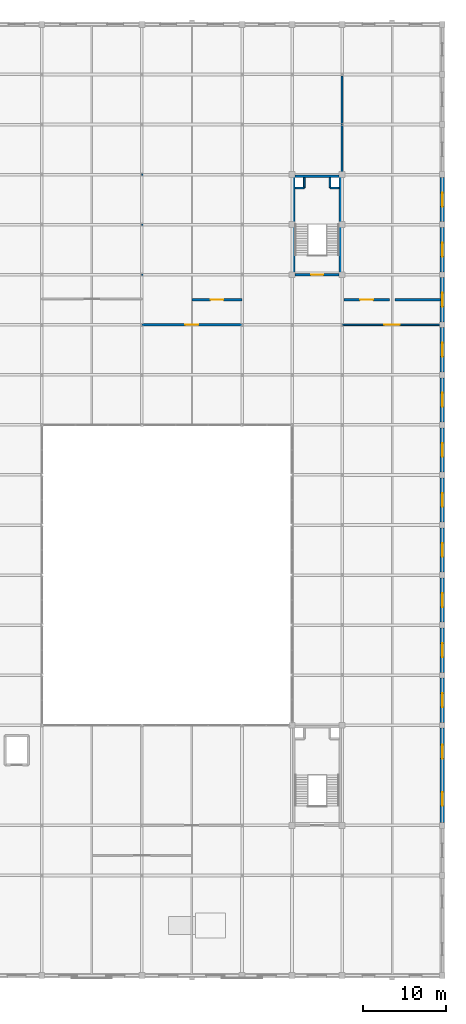
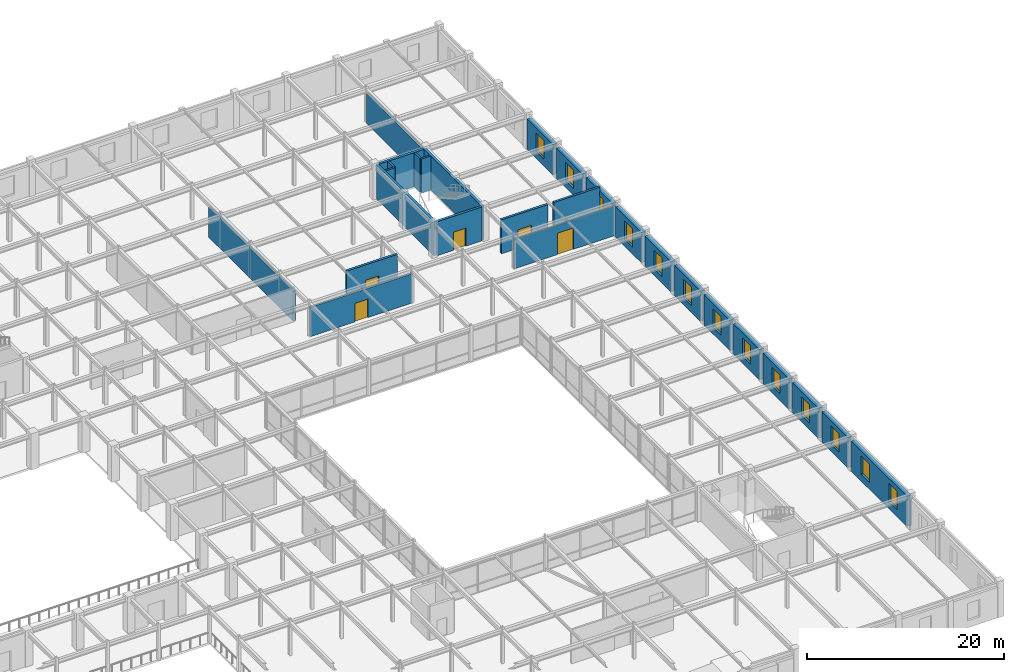
# One storey, part 104 of 108: 27 walls, 13 windows, 5 doors, 18 openings.
"""IFC4 building model written with IfcOpenShell, lengths in metres."""

from ifc_helpers import new_model, si_unit, direction, frame, frame_2d, origin, place, context, subcontext, project, spatial, rectangle, extrude, material, layer, layer_set, type_object, element, fill, save


model = new_model("IFC4")

# Units and contexts
model_context = context("Model", 3, precision=1e-05, world=origin(), true_north=direction((0.0, 1.0)))
body_context = subcontext(model_context, "Body", "Model", "MODEL_VIEW")
ifc_project = project(units=[si_unit("LENGTHUNIT", "METRE"), si_unit("AREAUNIT", "SQUARE_METRE"), si_unit("VOLUMEUNIT", "CUBIC_METRE"), si_unit("PLANEANGLEUNIT", "RADIAN"), si_unit("MASSUNIT", "GRAM", prefix="KILO")], contexts=[model_context])

# Site, building, storey
site_placement = place(None, origin())
site = spatial("IfcSite", under=ifc_project, at=site_placement, CompositionType="ELEMENT")
building_placement = place(site_placement, origin())
building = spatial("IfcBuilding", under=site, at=building_placement, Name="Zlatovratsky Civic Hall", CompositionType="ELEMENT")
storey_placement = place(building_placement, frame((0.0, 0.0, 12.0)))
storey = spatial("IfcBuildingStorey", under=building, at=storey_placement, Name="L03", CompositionType="ELEMENT", Elevation=12.0)

# Wall, opening, door
ifc_material_1 = material(Name="Acoustic ceramic blockwork", Category="masonry")
ifc_layer_1 = layer(ifc_material_1, 0.179931640625)
ifc_layer_set_1 = layer_set([ifc_layer_1], Name="Acoustic ceramic blockwork")
wall_type_1 = type_object("IfcWallType", Name="Wall_AcousticChamberPartition_180", PredefinedType="PARTITIONING", material=ifc_layer_set_1)
wall_1_placement = place(storey_placement, frame((156.0, 78.0, 0.0), z_axis=(0.0, 0.0, 1.0), x_axis=(1.0, 0.0, 0.0)))
wall_1 = element("IfcWall", 1, at=wall_1_placement, inside=storey, type_object=wall_type_1, Name="WL-6172", PredefinedType="PARTITIONING", context=body_context, shape_type="SweptSolid", body=[
    extrude(rectangle(XDim=12.0, YDim=0.179931640625, at=frame_2d((6.0, 0.0))), origin(), (0.0, 0.0, 1.0), 3.637939453125),
])
opening_1_placement = place(wall_1_placement, frame((5.074951171875, 0.0, 0.0)))
opening_1 = element("IfcOpeningElement", 2, at=opening_1_placement, cuts=wall_1, Name="Opening D-14", PredefinedType="OPENING", context=body_context, shape_type="SweptSolid", body=[
    extrude(rectangle(XDim=1.85009765625, YDim=2.64990234375, at=frame_2d((0.925048828125, 1.324951171875))), frame((0.0, 0.10498046875, 0.0), z_axis=(0.0, -1.0, 0.0), x_axis=(1.0, 0.0, 0.0)), (0.0, 0.0, 1.0), 0.209716796875),
])
ifc_material_2 = material(Name="Solid oak joinery in steel frame", Category="steel")
door_type_1 = type_object("IfcDoorType", Name="Door_LibraryReadingDouble_1850x2650", OperationType="DOUBLE_DOOR_SINGLE_SWING", PredefinedType="DOOR", material=ifc_material_2)
door_1_placement = place(opening_1_placement, origin())
door_1 = element("IfcDoor", 3, at=door_1_placement, inside=storey, type_object=door_type_1, Name="DR-5293", OperationType="DOUBLE_DOOR_SINGLE_SWING", OverallHeight=2.64990234375, OverallWidth=1.85009765625, PredefinedType="DOOR", context=body_context, shape_type="SweptSolid", body=[
    extrude(rectangle(XDim=1.85009765625, YDim=2.64990234375, at=frame_2d((0.925048828125, 1.324951171875))), frame((0.0, 0.02490234375, 0.0), z_axis=(0.0, -1.0, 0.0), x_axis=(1.0, 0.0, 0.0)), (0.0, 0.0, 1.0), 0.050048828125),
])
fill(opening_1, door_1)

ifc_layer_2 = layer(ifc_material_1, 0.260009765625)
ifc_layer_set_2 = layer_set([ifc_layer_2], Name="Acoustic ceramic blockwork")
wall_type_2 = type_object("IfcWallType", Name="Wall_ArchiveCompartment_260", PredefinedType="PARTITIONING", material=ifc_layer_set_2)
wall_2_placement = place(storey_placement, frame((132.0, 78.0, 0.0), z_axis=(0.0, 0.0, 1.0), x_axis=(1.0, 0.0, 0.0)))
wall_2 = element("IfcWall", 4, at=wall_2_placement, inside=storey, type_object=wall_type_2, Name="WL-6182", PredefinedType="PARTITIONING", context=body_context, shape_type="SweptSolid", body=[
    extrude(rectangle(XDim=12.0, YDim=0.260009765625, at=frame_2d((6.0, 0.0))), origin(), (0.0, 0.0, 1.0), 3.637939453125),
])
opening_2_placement = place(wall_2_placement, frame((5.22509765625, 0.0, 0.0)))
opening_2 = element("IfcOpeningElement", 5, at=opening_2_placement, cuts=wall_2, Name="Opening D-15", PredefinedType="OPENING", context=body_context, shape_type="SweptSolid", body=[
    extrude(rectangle(XDim=1.550048828125, YDim=2.300048828125, at=frame_2d((0.77490234375, 1.14990234375))), frame((0.0, 0.14501953125, 0.0), z_axis=(0.0, -1.0, 0.0), x_axis=(1.0, 0.0, 0.0)), (0.0, 0.0, 1.0), 0.289794921875),
])
ifc_material_3 = material(Name="Insulated painted fire-rated steel leaf", Category="steel")
door_type_2 = type_object("IfcDoorType", Name="Door_CompactArchiveFire_1550x2300", OperationType="DOUBLE_DOOR_SINGLE_SWING", PredefinedType="DOOR", material=ifc_material_3)
door_2_placement = place(opening_2_placement, origin())
door_2 = element("IfcDoor", 6, at=door_2_placement, inside=storey, type_object=door_type_2, Name="DR-5303", OperationType="DOUBLE_DOOR_SINGLE_SWING", OverallHeight=2.300048828125, OverallWidth=1.550048828125, PredefinedType="DOOR", context=body_context, shape_type="SweptSolid", body=[
    extrude(rectangle(XDim=1.550048828125, YDim=2.300048828125, at=frame_2d((0.77490234375, 1.14990234375))), frame((0.0, 0.02490234375, 0.0), z_axis=(0.0, -1.0, 0.0), x_axis=(1.0, 0.0, 0.0)), (0.0, 0.0, 1.0), 0.050048828125),
])
fill(opening_2, door_2)

wall_3_placement = place(storey_placement, frame((138.0, 81.0, 0.0), z_axis=(0.0, 0.0, 1.0), x_axis=(1.0, 0.0, 0.0)))
wall_3 = element("IfcWall", 7, at=wall_3_placement, inside=storey, type_object=wall_type_2, Name="WL-6186", PredefinedType="PARTITIONING", context=body_context, shape_type="SweptSolid", body=[
    extrude(rectangle(XDim=6.0, YDim=0.260009765625, at=frame_2d((3.0, 0.0))), origin(), (0.0, 0.0, 1.0), 4.219970703125),
])
opening_3_placement = place(wall_3_placement, frame((2.22509765625, 0.0, 0.0)))
opening_3 = element("IfcOpeningElement", 8, at=opening_3_placement, cuts=wall_3, Name="Opening D-15", PredefinedType="OPENING", context=body_context, shape_type="SweptSolid", body=[
    extrude(rectangle(XDim=1.550048828125, YDim=2.300048828125, at=frame_2d((0.77490234375, 1.14990234375))), frame((0.0, 0.14501953125, 0.0), z_axis=(0.0, -1.0, 0.0), x_axis=(1.0, 0.0, 0.0)), (0.0, 0.0, 1.0), 0.289794921875),
])
door_3_placement = place(opening_3_placement, origin())
door_3 = element("IfcDoor", 9, at=door_3_placement, inside=storey, type_object=door_type_2, Name="DR-5307", OperationType="DOUBLE_DOOR_SINGLE_SWING", OverallHeight=2.300048828125, OverallWidth=1.550048828125, PredefinedType="DOOR", context=body_context, shape_type="SweptSolid", body=[
    extrude(rectangle(XDim=1.550048828125, YDim=2.300048828125, at=frame_2d((0.77490234375, 1.14990234375))), frame((0.0, 0.02490234375, 0.0), z_axis=(0.0, -1.0, 0.0), x_axis=(1.0, 0.0, 0.0)), (0.0, 0.0, 1.0), 0.050048828125),
])
fill(opening_3, door_3)

wall_4_placement = place(storey_placement, frame((156.199951171875, 81.0, 0.0), z_axis=(0.0, 0.0, 1.0), x_axis=(1.0, 0.0, 0.0)))
wall_4 = element("IfcWall", 10, at=wall_4_placement, inside=storey, type_object=wall_type_2, Name="WL-6192", PredefinedType="PARTITIONING", context=body_context, shape_type="SweptSolid", body=[
    extrude(rectangle(XDim=5.449951171875, YDim=0.260009765625, at=frame_2d((2.72509765625, 0.0))), origin(), (0.0, 0.0, 1.0), 4.219970703125),
])
opening_4_placement = place(wall_4_placement, frame((1.949951171875, 0.0, 0.0)))
opening_4 = element("IfcOpeningElement", 11, at=opening_4_placement, cuts=wall_4, Name="Opening D-15", PredefinedType="OPENING", context=body_context, shape_type="SweptSolid", body=[
    extrude(rectangle(XDim=1.550048828125, YDim=2.300048828125, at=frame_2d((0.77490234375, 1.14990234375))), frame((0.0, 0.14501953125, 0.0), z_axis=(0.0, -1.0, 0.0), x_axis=(1.0, 0.0, 0.0)), (0.0, 0.0, 1.0), 0.289794921875),
])
door_4_placement = place(opening_4_placement, origin())
door_4 = element("IfcDoor", 12, at=door_4_placement, inside=storey, type_object=door_type_2, Name="DR-5313", OperationType="DOUBLE_DOOR_SINGLE_SWING", OverallHeight=2.300048828125, OverallWidth=1.550048828125, PredefinedType="DOOR", context=body_context, shape_type="SweptSolid", body=[
    extrude(rectangle(XDim=1.550048828125, YDim=2.300048828125, at=frame_2d((0.77490234375, 1.14990234375))), frame((0.0, 0.02490234375, 0.0), z_axis=(0.0, -1.0, 0.0), x_axis=(1.0, 0.0, 0.0)), (0.0, 0.0, 1.0), 0.050048828125),
])
fill(opening_4, door_4)

# Walls
wall_5_placement = place(storey_placement, frame((132.0, 81.14990234375, 0.0), z_axis=(0.0, 0.0, 1.0), x_axis=(0.0, 1.0, 0.0)))
element("IfcWall", 13, at=wall_5_placement, inside=storey, type_object=wall_type_2, Name="WL-6196", PredefinedType="PARTITIONING", context=body_context, shape_type="SweptSolid", body=[
    extrude(rectangle(XDim=17.2001953125, YDim=0.260009765625, at=frame_2d((8.60009765625, 0.0))), origin(), (0.0, 0.0, 1.0), 3.738037109375),
])
wall_6_placement = place(storey_placement, frame((162.35009765625, 81.0, 0.0), z_axis=(0.0, 0.0, 1.0), x_axis=(1.0, 0.0, 0.0)))
element("IfcWall", 14, at=wall_6_placement, inside=storey, type_object=wall_type_2, Name="WL-6202", PredefinedType="PARTITIONING", context=body_context, shape_type="SweptSolid", body=[
    extrude(rectangle(XDim=5.449951171875, YDim=0.260009765625, at=frame_2d((2.72509765625, 0.0))), origin(), (0.0, 0.0, 1.0), 4.219970703125),
])
wall_7_placement = place(storey_placement, frame((156.0, 96.199951171875, 0.0), z_axis=(0.0, 0.0, 1.0), x_axis=(0.0, 1.0, 0.0)))
element("IfcWall", 15, at=wall_7_placement, inside=storey, type_object=wall_type_2, Name="WL-6204", PredefinedType="PARTITIONING", context=body_context, shape_type="SweptSolid", body=[
    extrude(rectangle(XDim=11.60009765625, YDim=0.260009765625, at=frame_2d((5.800048828125, 0.0))), origin(), (0.0, 0.0, 1.0), 3.738037109375),
])

# Wall, openings, windows
ifc_layer_3 = layer(ifc_material_1, 0.39990234375, Name="Backing")
ifc_material_4 = material(Name="Polished Karelian granite ashlar", Category="masonry")
ifc_layer_4 = layer(ifc_material_4, 0.139892578125, Name="Finish")
ifc_layer_set_3 = layer_set([ifc_layer_3, ifc_layer_4], Name="Acoustic ceramic blockwork")
wall_type_3 = type_object("IfcWallType", Name="Wall_PodiumGraniteArcade_540", PredefinedType="SOLIDWALL", material=ifc_layer_set_3)
wall_8_placement = place(storey_placement, frame((168.0, 18.35009765625, 0.0), z_axis=(0.0, 0.0, 1.0), x_axis=(0.0, 1.0, 0.0)))
wall_8 = element("IfcWall", 16, at=wall_8_placement, inside=storey, type_object=wall_type_3, Name="WL-0300", PredefinedType="SOLIDWALL", context=body_context, shape_type="SweptSolid", body=[
    extrude(rectangle(XDim=11.2998046875, YDim=0.5400390625, at=frame_2d((5.64990234375, 0.0))), origin(), (0.0, 0.0, 1.0), 3.77001953125),
])
opening_5_placement = place(wall_8_placement, frame((2.0, 0.0, 0.85009765625)))
opening_5 = element("IfcOpeningElement", 17, at=opening_5_placement, cuts=wall_8, Name="Opening WN-09", PredefinedType="OPENING", context=body_context, shape_type="SweptSolid", body=[
    extrude(rectangle(XDim=1.64990234375, YDim=2.300048828125, at=frame_2d((0.824951171875, 1.14990234375))), frame((0.0, 0.284912109375, 0.0), z_axis=(0.0, -1.0, 0.0), x_axis=(1.0, 0.0, 0.0)), (0.0, 0.0, 1.0), 0.56982421875),
])
opening_6_placement = place(wall_8_placement, frame((7.64990234375, 0.0, 0.85009765625)))
opening_6 = element("IfcOpeningElement", 18, at=opening_6_placement, cuts=wall_8, Name="Opening WN-09", PredefinedType="OPENING", context=body_context, shape_type="SweptSolid", body=[
    extrude(rectangle(XDim=1.64990234375, YDim=2.300048828125, at=frame_2d((0.824951171875, 1.14990234375))), frame((0.0, 0.284912109375, 0.0), z_axis=(0.0, -1.0, 0.0), x_axis=(1.0, 0.0, 0.0)), (0.0, 0.0, 1.0), 0.56982421875),
])
ifc_material_5 = material(Name="Low-E laminated double glazing", Category="glass")
window_type = type_object("IfcWindowType", Name="Window_CourtWingL03_1650x2300", PartitioningType="SINGLE_PANEL", PredefinedType="WINDOW", material=ifc_material_5)
window_1_placement = place(opening_5_placement, origin())
window_1 = element("IfcWindow", 19, at=window_1_placement, inside=storey, type_object=window_type, Name="WN-0237", OverallHeight=2.300048828125, OverallWidth=1.64990234375, PartitioningType="SINGLE_PANEL", PredefinedType="WINDOW", context=body_context, shape_type="SweptSolid", body=[
    extrude(rectangle(XDim=1.64990234375, YDim=2.300048828125, at=frame_2d((0.824951171875, 1.14990234375))), frame((0.0, 0.030029296875, 0.0), z_axis=(0.0, -1.0, 0.0), x_axis=(1.0, 0.0, 0.0)), (0.0, 0.0, 1.0), 0.06005859375),
])
fill(opening_5, window_1)
window_2_placement = place(opening_6_placement, origin())
window_2 = element("IfcWindow", 20, at=window_2_placement, inside=storey, type_object=window_type, Name="WN-0238", OverallHeight=2.300048828125, OverallWidth=1.64990234375, PartitioningType="SINGLE_PANEL", PredefinedType="WINDOW", context=body_context, shape_type="SweptSolid", body=[
    extrude(rectangle(XDim=1.64990234375, YDim=2.300048828125, at=frame_2d((0.824951171875, 1.14990234375))), frame((0.0, 0.030029296875, 0.0), z_axis=(0.0, -1.0, 0.0), x_axis=(1.0, 0.0, 0.0)), (0.0, 0.0, 1.0), 0.06005859375),
])
fill(opening_6, window_2)

# Wall, opening, window
wall_9_placement = place(storey_placement, frame((168.0, 30.35009765625, 0.0), z_axis=(0.0, 0.0, 1.0), x_axis=(0.0, 1.0, 0.0)))
wall_9 = element("IfcWall", 21, at=wall_9_placement, inside=storey, type_object=wall_type_3, Name="WL-0301", PredefinedType="SOLIDWALL", context=body_context, shape_type="SweptSolid", body=[
    extrude(rectangle(XDim=5.2998046875, YDim=0.5400390625, at=frame_2d((2.64990234375, 0.0))), origin(), (0.0, 0.0, 1.0), 3.77001953125),
])
opening_7_placement = place(wall_9_placement, frame((1.824951171875, 0.0, 0.85009765625)))
opening_7 = element("IfcOpeningElement", 22, at=opening_7_placement, cuts=wall_9, Name="Opening WN-09", PredefinedType="OPENING", context=body_context, shape_type="SweptSolid", body=[
    extrude(rectangle(XDim=1.64990234375, YDim=2.300048828125, at=frame_2d((0.824951171875, 1.14990234375))), frame((0.0, 0.284912109375, 0.0), z_axis=(0.0, -1.0, 0.0), x_axis=(1.0, 0.0, 0.0)), (0.0, 0.0, 1.0), 0.56982421875),
])
window_3_placement = place(opening_7_placement, origin())
window_3 = element("IfcWindow", 23, at=window_3_placement, inside=storey, type_object=window_type, Name="WN-0239", OverallHeight=2.300048828125, OverallWidth=1.64990234375, PartitioningType="SINGLE_PANEL", PredefinedType="WINDOW", context=body_context, shape_type="SweptSolid", body=[
    extrude(rectangle(XDim=1.64990234375, YDim=2.300048828125, at=frame_2d((0.824951171875, 1.14990234375))), frame((0.0, 0.030029296875, 0.0), z_axis=(0.0, -1.0, 0.0), x_axis=(1.0, 0.0, 0.0)), (0.0, 0.0, 1.0), 0.06005859375),
])
fill(opening_7, window_3)

wall_10_placement = place(storey_placement, frame((168.0, 36.35009765625, 0.0), z_axis=(0.0, 0.0, 1.0), x_axis=(0.0, 1.0, 0.0)))
wall_10 = element("IfcWall", 24, at=wall_10_placement, inside=storey, type_object=wall_type_3, Name="WL-0302", PredefinedType="SOLIDWALL", context=body_context, shape_type="SweptSolid", body=[
    extrude(rectangle(XDim=5.2998046875, YDim=0.5400390625, at=frame_2d((2.64990234375, 0.0))), origin(), (0.0, 0.0, 1.0), 3.77001953125),
])
opening_8_placement = place(wall_10_placement, frame((1.824951171875, 0.0, 0.85009765625)))
opening_8 = element("IfcOpeningElement", 25, at=opening_8_placement, cuts=wall_10, Name="Opening WN-09", PredefinedType="OPENING", context=body_context, shape_type="SweptSolid", body=[
    extrude(rectangle(XDim=1.64990234375, YDim=2.300048828125, at=frame_2d((0.824951171875, 1.14990234375))), frame((0.0, 0.284912109375, 0.0), z_axis=(0.0, -1.0, 0.0), x_axis=(1.0, 0.0, 0.0)), (0.0, 0.0, 1.0), 0.56982421875),
])
window_4_placement = place(opening_8_placement, origin())
window_4 = element("IfcWindow", 26, at=window_4_placement, inside=storey, type_object=window_type, Name="WN-0240", OverallHeight=2.300048828125, OverallWidth=1.64990234375, PartitioningType="SINGLE_PANEL", PredefinedType="WINDOW", context=body_context, shape_type="SweptSolid", body=[
    extrude(rectangle(XDim=1.64990234375, YDim=2.300048828125, at=frame_2d((0.824951171875, 1.14990234375))), frame((0.0, 0.030029296875, 0.0), z_axis=(0.0, -1.0, 0.0), x_axis=(1.0, 0.0, 0.0)), (0.0, 0.0, 1.0), 0.06005859375),
])
fill(opening_8, window_4)

wall_11_placement = place(storey_placement, frame((168.0, 42.35009765625, 0.0), z_axis=(0.0, 0.0, 1.0), x_axis=(0.0, 1.0, 0.0)))
wall_11 = element("IfcWall", 27, at=wall_11_placement, inside=storey, type_object=wall_type_3, Name="WL-0303", PredefinedType="SOLIDWALL", context=body_context, shape_type="SweptSolid", body=[
    extrude(rectangle(XDim=5.2998046875, YDim=0.5400390625, at=frame_2d((2.64990234375, 0.0))), origin(), (0.0, 0.0, 1.0), 3.77001953125),
])
opening_9_placement = place(wall_11_placement, frame((1.824951171875, 0.0, 0.85009765625)))
opening_9 = element("IfcOpeningElement", 28, at=opening_9_placement, cuts=wall_11, Name="Opening WN-09", PredefinedType="OPENING", context=body_context, shape_type="SweptSolid", body=[
    extrude(rectangle(XDim=1.64990234375, YDim=2.300048828125, at=frame_2d((0.824951171875, 1.14990234375))), frame((0.0, 0.284912109375, 0.0), z_axis=(0.0, -1.0, 0.0), x_axis=(1.0, 0.0, 0.0)), (0.0, 0.0, 1.0), 0.56982421875),
])
window_5_placement = place(opening_9_placement, origin())
window_5 = element("IfcWindow", 29, at=window_5_placement, inside=storey, type_object=window_type, Name="WN-0241", OverallHeight=2.300048828125, OverallWidth=1.64990234375, PartitioningType="SINGLE_PANEL", PredefinedType="WINDOW", context=body_context, shape_type="SweptSolid", body=[
    extrude(rectangle(XDim=1.64990234375, YDim=2.300048828125, at=frame_2d((0.824951171875, 1.14990234375))), frame((0.0, 0.030029296875, 0.0), z_axis=(0.0, -1.0, 0.0), x_axis=(1.0, 0.0, 0.0)), (0.0, 0.0, 1.0), 0.06005859375),
])
fill(opening_9, window_5)

wall_12_placement = place(storey_placement, frame((168.0, 48.35009765625, 0.0), z_axis=(0.0, 0.0, 1.0), x_axis=(0.0, 1.0, 0.0)))
wall_12 = element("IfcWall", 30, at=wall_12_placement, inside=storey, type_object=wall_type_3, Name="WL-0304", PredefinedType="SOLIDWALL", context=body_context, shape_type="SweptSolid", body=[
    extrude(rectangle(XDim=5.2998046875, YDim=0.5400390625, at=frame_2d((2.64990234375, 0.0))), origin(), (0.0, 0.0, 1.0), 3.77001953125),
])
opening_10_placement = place(wall_12_placement, frame((1.824951171875, 0.0, 0.85009765625)))
opening_10 = element("IfcOpeningElement", 31, at=opening_10_placement, cuts=wall_12, Name="Opening WN-09", PredefinedType="OPENING", context=body_context, shape_type="SweptSolid", body=[
    extrude(rectangle(XDim=1.64990234375, YDim=2.300048828125, at=frame_2d((0.824951171875, 1.14990234375))), frame((0.0, 0.284912109375, 0.0), z_axis=(0.0, -1.0, 0.0), x_axis=(1.0, 0.0, 0.0)), (0.0, 0.0, 1.0), 0.56982421875),
])
window_6_placement = place(opening_10_placement, origin())
window_6 = element("IfcWindow", 32, at=window_6_placement, inside=storey, type_object=window_type, Name="WN-0242", OverallHeight=2.300048828125, OverallWidth=1.64990234375, PartitioningType="SINGLE_PANEL", PredefinedType="WINDOW", context=body_context, shape_type="SweptSolid", body=[
    extrude(rectangle(XDim=1.64990234375, YDim=2.300048828125, at=frame_2d((0.824951171875, 1.14990234375))), frame((0.0, 0.030029296875, 0.0), z_axis=(0.0, -1.0, 0.0), x_axis=(1.0, 0.0, 0.0)), (0.0, 0.0, 1.0), 0.06005859375),
])
fill(opening_10, window_6)

wall_13_placement = place(storey_placement, frame((168.0, 54.35009765625, 0.0), z_axis=(0.0, 0.0, 1.0), x_axis=(0.0, 1.0, 0.0)))
wall_13 = element("IfcWall", 33, at=wall_13_placement, inside=storey, type_object=wall_type_3, Name="WL-0305", PredefinedType="SOLIDWALL", context=body_context, shape_type="SweptSolid", body=[
    extrude(rectangle(XDim=5.2998046875, YDim=0.5400390625, at=frame_2d((2.64990234375, 0.0))), origin(), (0.0, 0.0, 1.0), 3.77001953125),
])
opening_11_placement = place(wall_13_placement, frame((1.824951171875, 0.0, 0.85009765625)))
opening_11 = element("IfcOpeningElement", 34, at=opening_11_placement, cuts=wall_13, Name="Opening WN-09", PredefinedType="OPENING", context=body_context, shape_type="SweptSolid", body=[
    extrude(rectangle(XDim=1.64990234375, YDim=2.300048828125, at=frame_2d((0.824951171875, 1.14990234375))), frame((0.0, 0.284912109375, 0.0), z_axis=(0.0, -1.0, 0.0), x_axis=(1.0, 0.0, 0.0)), (0.0, 0.0, 1.0), 0.56982421875),
])
window_7_placement = place(opening_11_placement, origin())
window_7 = element("IfcWindow", 35, at=window_7_placement, inside=storey, type_object=window_type, Name="WN-0243", OverallHeight=2.300048828125, OverallWidth=1.64990234375, PartitioningType="SINGLE_PANEL", PredefinedType="WINDOW", context=body_context, shape_type="SweptSolid", body=[
    extrude(rectangle(XDim=1.64990234375, YDim=2.300048828125, at=frame_2d((0.824951171875, 1.14990234375))), frame((0.0, 0.030029296875, 0.0), z_axis=(0.0, -1.0, 0.0), x_axis=(1.0, 0.0, 0.0)), (0.0, 0.0, 1.0), 0.06005859375),
])
fill(opening_11, window_7)

wall_14_placement = place(storey_placement, frame((168.0, 60.35009765625, 0.0), z_axis=(0.0, 0.0, 1.0), x_axis=(0.0, 1.0, 0.0)))
wall_14 = element("IfcWall", 36, at=wall_14_placement, inside=storey, type_object=wall_type_3, Name="WL-0306", PredefinedType="SOLIDWALL", context=body_context, shape_type="SweptSolid", body=[
    extrude(rectangle(XDim=5.2998046875, YDim=0.5400390625, at=frame_2d((2.64990234375, 0.0))), origin(), (0.0, 0.0, 1.0), 3.77001953125),
])
opening_12_placement = place(wall_14_placement, frame((1.824951171875, 0.0, 0.85009765625)))
opening_12 = element("IfcOpeningElement", 37, at=opening_12_placement, cuts=wall_14, Name="Opening WN-09", PredefinedType="OPENING", context=body_context, shape_type="SweptSolid", body=[
    extrude(rectangle(XDim=1.64990234375, YDim=2.300048828125, at=frame_2d((0.824951171875, 1.14990234375))), frame((0.0, 0.284912109375, 0.0), z_axis=(0.0, -1.0, 0.0), x_axis=(1.0, 0.0, 0.0)), (0.0, 0.0, 1.0), 0.56982421875),
])
window_8_placement = place(opening_12_placement, origin())
window_8 = element("IfcWindow", 38, at=window_8_placement, inside=storey, type_object=window_type, Name="WN-0244", OverallHeight=2.300048828125, OverallWidth=1.64990234375, PartitioningType="SINGLE_PANEL", PredefinedType="WINDOW", context=body_context, shape_type="SweptSolid", body=[
    extrude(rectangle(XDim=1.64990234375, YDim=2.300048828125, at=frame_2d((0.824951171875, 1.14990234375))), frame((0.0, 0.030029296875, 0.0), z_axis=(0.0, -1.0, 0.0), x_axis=(1.0, 0.0, 0.0)), (0.0, 0.0, 1.0), 0.06005859375),
])
fill(opening_12, window_8)

wall_15_placement = place(storey_placement, frame((168.0, 66.35009765625, 0.0), z_axis=(0.0, 0.0, 1.0), x_axis=(0.0, 1.0, 0.0)))
wall_15 = element("IfcWall", 39, at=wall_15_placement, inside=storey, type_object=wall_type_3, Name="WL-0307", PredefinedType="SOLIDWALL", context=body_context, shape_type="SweptSolid", body=[
    extrude(rectangle(XDim=5.2998046875, YDim=0.5400390625, at=frame_2d((2.64990234375, 0.0))), origin(), (0.0, 0.0, 1.0), 3.77001953125),
])
opening_13_placement = place(wall_15_placement, frame((1.824951171875, 0.0, 0.85009765625)))
opening_13 = element("IfcOpeningElement", 40, at=opening_13_placement, cuts=wall_15, Name="Opening WN-09", PredefinedType="OPENING", context=body_context, shape_type="SweptSolid", body=[
    extrude(rectangle(XDim=1.64990234375, YDim=2.300048828125, at=frame_2d((0.824951171875, 1.14990234375))), frame((0.0, 0.284912109375, 0.0), z_axis=(0.0, -1.0, 0.0), x_axis=(1.0, 0.0, 0.0)), (0.0, 0.0, 1.0), 0.56982421875),
])
window_9_placement = place(opening_13_placement, origin())
window_9 = element("IfcWindow", 41, at=window_9_placement, inside=storey, type_object=window_type, Name="WN-0245", OverallHeight=2.300048828125, OverallWidth=1.64990234375, PartitioningType="SINGLE_PANEL", PredefinedType="WINDOW", context=body_context, shape_type="SweptSolid", body=[
    extrude(rectangle(XDim=1.64990234375, YDim=2.300048828125, at=frame_2d((0.824951171875, 1.14990234375))), frame((0.0, 0.030029296875, 0.0), z_axis=(0.0, -1.0, 0.0), x_axis=(1.0, 0.0, 0.0)), (0.0, 0.0, 1.0), 0.06005859375),
])
fill(opening_13, window_9)

wall_16_placement = place(storey_placement, frame((168.0, 72.35009765625, 0.0), z_axis=(0.0, 0.0, 1.0), x_axis=(0.0, 1.0, 0.0)))
wall_16 = element("IfcWall", 42, at=wall_16_placement, inside=storey, type_object=wall_type_3, Name="WL-0308", PredefinedType="SOLIDWALL", context=body_context, shape_type="SweptSolid", body=[
    extrude(rectangle(XDim=5.2998046875, YDim=0.5400390625, at=frame_2d((2.64990234375, 0.0))), origin(), (0.0, 0.0, 1.0), 3.77001953125),
])
opening_14_placement = place(wall_16_placement, frame((1.824951171875, 0.0, 0.85009765625)))
opening_14 = element("IfcOpeningElement", 43, at=opening_14_placement, cuts=wall_16, Name="Opening WN-09", PredefinedType="OPENING", context=body_context, shape_type="SweptSolid", body=[
    extrude(rectangle(XDim=1.64990234375, YDim=2.300048828125, at=frame_2d((0.824951171875, 1.14990234375))), frame((0.0, 0.284912109375, 0.0), z_axis=(0.0, -1.0, 0.0), x_axis=(1.0, 0.0, 0.0)), (0.0, 0.0, 1.0), 0.56982421875),
])
window_10_placement = place(opening_14_placement, origin())
window_10 = element("IfcWindow", 44, at=window_10_placement, inside=storey, type_object=window_type, Name="WN-0246", OverallHeight=2.300048828125, OverallWidth=1.64990234375, PartitioningType="SINGLE_PANEL", PredefinedType="WINDOW", context=body_context, shape_type="SweptSolid", body=[
    extrude(rectangle(XDim=1.64990234375, YDim=2.300048828125, at=frame_2d((0.824951171875, 1.14990234375))), frame((0.0, 0.030029296875, 0.0), z_axis=(0.0, -1.0, 0.0), x_axis=(1.0, 0.0, 0.0)), (0.0, 0.0, 1.0), 0.06005859375),
])
fill(opening_14, window_10)

wall_17_placement = place(storey_placement, frame((168.0, 78.35009765625, 0.0), z_axis=(0.0, 0.0, 1.0), x_axis=(0.0, 1.0, 0.0)))
wall_17 = element("IfcWall", 45, at=wall_17_placement, inside=storey, type_object=wall_type_3, Name="WL-0309", PredefinedType="SOLIDWALL", context=body_context, shape_type="SweptSolid", body=[
    extrude(rectangle(XDim=5.2998046875, YDim=0.5400390625, at=frame_2d((2.64990234375, 0.0))), origin(), (0.0, 0.0, 1.0), 3.77001953125),
])
opening_15_placement = place(wall_17_placement, frame((1.824951171875, 0.0, 0.85009765625)))
opening_15 = element("IfcOpeningElement", 46, at=opening_15_placement, cuts=wall_17, Name="Opening WN-09", PredefinedType="OPENING", context=body_context, shape_type="SweptSolid", body=[
    extrude(rectangle(XDim=1.64990234375, YDim=2.300048828125, at=frame_2d((0.824951171875, 1.14990234375))), frame((0.0, 0.284912109375, 0.0), z_axis=(0.0, -1.0, 0.0), x_axis=(1.0, 0.0, 0.0)), (0.0, 0.0, 1.0), 0.56982421875),
])
window_11_placement = place(opening_15_placement, origin())
window_11 = element("IfcWindow", 47, at=window_11_placement, inside=storey, type_object=window_type, Name="WN-0247", OverallHeight=2.300048828125, OverallWidth=1.64990234375, PartitioningType="SINGLE_PANEL", PredefinedType="WINDOW", context=body_context, shape_type="SweptSolid", body=[
    extrude(rectangle(XDim=1.64990234375, YDim=2.300048828125, at=frame_2d((0.824951171875, 1.14990234375))), frame((0.0, 0.030029296875, 0.0), z_axis=(0.0, -1.0, 0.0), x_axis=(1.0, 0.0, 0.0)), (0.0, 0.0, 1.0), 0.06005859375),
])
fill(opening_15, window_11)

wall_18_placement = place(storey_placement, frame((168.0, 84.35009765625, 0.0), z_axis=(0.0, 0.0, 1.0), x_axis=(0.0, 1.0, 0.0)))
wall_18 = element("IfcWall", 48, at=wall_18_placement, inside=storey, type_object=wall_type_3, Name="WL-0310", PredefinedType="SOLIDWALL", context=body_context, shape_type="SweptSolid", body=[
    extrude(rectangle(XDim=5.2998046875, YDim=0.5400390625, at=frame_2d((2.64990234375, 0.0))), origin(), (0.0, 0.0, 1.0), 3.77001953125),
])
opening_16_placement = place(wall_18_placement, frame((1.824951171875, 0.0, 0.85009765625)))
opening_16 = element("IfcOpeningElement", 49, at=opening_16_placement, cuts=wall_18, Name="Opening WN-09", PredefinedType="OPENING", context=body_context, shape_type="SweptSolid", body=[
    extrude(rectangle(XDim=1.64990234375, YDim=2.300048828125, at=frame_2d((0.824951171875, 1.14990234375))), frame((0.0, 0.284912109375, 0.0), z_axis=(0.0, -1.0, 0.0), x_axis=(1.0, 0.0, 0.0)), (0.0, 0.0, 1.0), 0.56982421875),
])
window_12_placement = place(opening_16_placement, origin())
window_12 = element("IfcWindow", 50, at=window_12_placement, inside=storey, type_object=window_type, Name="WN-0248", OverallHeight=2.300048828125, OverallWidth=1.64990234375, PartitioningType="SINGLE_PANEL", PredefinedType="WINDOW", context=body_context, shape_type="SweptSolid", body=[
    extrude(rectangle(XDim=1.64990234375, YDim=2.300048828125, at=frame_2d((0.824951171875, 1.14990234375))), frame((0.0, 0.030029296875, 0.0), z_axis=(0.0, -1.0, 0.0), x_axis=(1.0, 0.0, 0.0)), (0.0, 0.0, 1.0), 0.06005859375),
])
fill(opening_16, window_12)

wall_19_placement = place(storey_placement, frame((168.0, 90.35009765625, 0.0), z_axis=(0.0, 0.0, 1.0), x_axis=(0.0, 1.0, 0.0)))
wall_19 = element("IfcWall", 51, at=wall_19_placement, inside=storey, type_object=wall_type_3, Name="WL-0311", PredefinedType="SOLIDWALL", context=body_context, shape_type="SweptSolid", body=[
    extrude(rectangle(XDim=5.2998046875, YDim=0.5400390625, at=frame_2d((2.64990234375, 0.0))), origin(), (0.0, 0.0, 1.0), 3.77001953125),
])
opening_17_placement = place(wall_19_placement, frame((1.824951171875, 0.0, 0.85009765625)))
opening_17 = element("IfcOpeningElement", 52, at=opening_17_placement, cuts=wall_19, Name="Opening WN-09", PredefinedType="OPENING", context=body_context, shape_type="SweptSolid", body=[
    extrude(rectangle(XDim=1.64990234375, YDim=2.300048828125, at=frame_2d((0.824951171875, 1.14990234375))), frame((0.0, 0.284912109375, 0.0), z_axis=(0.0, -1.0, 0.0), x_axis=(1.0, 0.0, 0.0)), (0.0, 0.0, 1.0), 0.56982421875),
])
window_13_placement = place(opening_17_placement, origin())
window_13 = element("IfcWindow", 53, at=window_13_placement, inside=storey, type_object=window_type, Name="WN-0249", OverallHeight=2.300048828125, OverallWidth=1.64990234375, PartitioningType="SINGLE_PANEL", PredefinedType="WINDOW", context=body_context, shape_type="SweptSolid", body=[
    extrude(rectangle(XDim=1.64990234375, YDim=2.300048828125, at=frame_2d((0.824951171875, 1.14990234375))), frame((0.0, 0.030029296875, 0.0), z_axis=(0.0, -1.0, 0.0), x_axis=(1.0, 0.0, 0.0)), (0.0, 0.0, 1.0), 0.06005859375),
])
fill(opening_17, window_13)

# Walls
ifc_layer_5 = layer(ifc_material_1, 0.219970703125)
ifc_layer_set_4 = layer_set([ifc_layer_5], Name="Acoustic ceramic blockwork")
wall_type_4 = type_object("IfcWallType", Name="Wall_SanitaryWetCore_220", PredefinedType="PARTITIONING", material=ifc_layer_set_4)
wall_20_placement = place(storey_placement, frame((151.449951171875, 94.39990234375, 0.0), z_axis=(0.0, 0.0, 1.0), x_axis=(0.0, 1.0, 0.0)))
element("IfcWall", 54, at=wall_20_placement, inside=storey, type_object=wall_type_4, Name="WL-5457", PredefinedType="PARTITIONING", context=body_context, shape_type="SweptSolid", body=[
    extrude(rectangle(XDim=1.25, YDim=0.219970703125, at=frame_2d((0.625, 0.0))), origin(), (0.0, 0.0, 1.0), 4.219970703125),
])
wall_21_placement = place(storey_placement, frame((150.35009765625, 94.39990234375, 0.0), z_axis=(0.0, 0.0, 1.0), x_axis=(1.0, 0.0, 0.0)))
element("IfcWall", 55, at=wall_21_placement, inside=storey, type_object=wall_type_4, Name="WL-5458", PredefinedType="PARTITIONING", context=body_context, shape_type="SweptSolid", body=[
    extrude(rectangle(XDim=1.099853515625, YDim=0.219970703125, at=frame_2d((0.5498046875, 0.0))), origin(), (0.0, 0.0, 1.0), 4.219970703125),
])
wall_22_placement = place(storey_placement, frame((154.550048828125, 94.39990234375, 0.0), z_axis=(0.0, 0.0, 1.0), x_axis=(0.0, 1.0, 0.0)))
element("IfcWall", 56, at=wall_22_placement, inside=storey, type_object=wall_type_4, Name="WL-5459", PredefinedType="PARTITIONING", context=body_context, shape_type="SweptSolid", body=[
    extrude(rectangle(XDim=1.25, YDim=0.219970703125, at=frame_2d((0.625, 0.0))), origin(), (0.0, 0.0, 1.0), 4.219970703125),
])
wall_23_placement = place(storey_placement, frame((154.550048828125, 94.39990234375, 0.0), z_axis=(0.0, 0.0, 1.0), x_axis=(1.0, 0.0, 0.0)))
element("IfcWall", 57, at=wall_23_placement, inside=storey, type_object=wall_type_4, Name="WL-5460", PredefinedType="PARTITIONING", context=body_context, shape_type="SweptSolid", body=[
    extrude(rectangle(XDim=1.099853515625, YDim=0.219970703125, at=frame_2d((0.5498046875, 0.0))), origin(), (0.0, 0.0, 1.0), 4.219970703125),
])

# Wall, opening, door
ifc_material_6 = material(Name="Concrete C35/45 (B40)", Category="concrete")
ifc_layer_6 = layer(ifc_material_6, 0.300048828125)
ifc_layer_set_5 = layer_set([ifc_layer_6], Name="Concrete C35/45 (B40)")
wall_type_5 = type_object("IfcWallType", Name="Wall_StairAndLiftShaft_300", PredefinedType="SHEAR", material=ifc_layer_set_5)
wall_24_placement = place(storey_placement, frame((150.35009765625, 84.0, 0.0), z_axis=(0.0, 0.0, 1.0), x_axis=(1.0, 0.0, 0.0)))
wall_24 = element("IfcWall", 58, at=wall_24_placement, inside=storey, type_object=wall_type_5, Name="WL-5453", PredefinedType="SHEAR", context=body_context, shape_type="SweptSolid", body=[
    extrude(rectangle(XDim=5.2998046875, YDim=0.300048828125, at=frame_2d((2.64990234375, 0.0))), origin(), (0.0, 0.0, 1.0), 4.219970703125),
])
opening_18_placement = place(wall_24_placement, frame((1.925048828125, 0.0, 0.0)))
opening_18 = element("IfcOpeningElement", 59, at=opening_18_placement, cuts=wall_24, Name="Opening D-16", PredefinedType="OPENING", context=body_context, shape_type="SweptSolid", body=[
    extrude(rectangle(XDim=1.449951171875, YDim=2.25, at=frame_2d((0.72509765625, 1.125))), frame((0.0, 0.1650390625, 0.0), z_axis=(0.0, -1.0, 0.0), x_axis=(1.0, 0.0, 0.0)), (0.0, 0.0, 1.0), 0.329833984375),
])
door_type_3 = type_object("IfcDoorType", Name="Door_StairwellFirePodium_1450x2250", OperationType="NOTDEFINED", PredefinedType="DOOR", material=ifc_material_3)
door_5_placement = place(opening_18_placement, origin())
door_5 = element("IfcDoor", 60, at=door_5_placement, inside=storey, type_object=door_type_3, Name="DR-5057", OperationType="SINGLE_SWING_LEFT", OverallHeight=2.25, OverallWidth=1.449951171875, PredefinedType="DOOR", context=body_context, shape_type="SweptSolid", body=[
    extrude(rectangle(XDim=1.449951171875, YDim=2.25, at=frame_2d((0.72509765625, 1.125))), frame((0.0, 0.02490234375, 0.0), z_axis=(0.0, -1.0, 0.0), x_axis=(1.0, 0.0, 0.0)), (0.0, 0.0, 1.0), 0.050048828125),
])
fill(opening_18, door_5)

# Walls
wall_25_placement = place(storey_placement, frame((150.35009765625, 95.800048828125, 0.0), z_axis=(0.0, 0.0, 1.0), x_axis=(1.0, 0.0, 0.0)))
element("IfcWall", 61, at=wall_25_placement, inside=storey, type_object=wall_type_5, Name="WL-5454", PredefinedType="SHEAR", context=body_context, shape_type="SweptSolid", body=[
    extrude(rectangle(XDim=5.2998046875, YDim=0.300048828125, at=frame_2d((2.64990234375, 0.0))), origin(), (0.0, 0.0, 1.0), 4.219970703125),
])
for number, where, z_axis, x_axis, name in (
    (62, (150.199951171875, 84.0, 0.0), (0.0, 0.0, 1.0), (0.0, 1.0, 0.0), "WL-5455"),
    (63, (155.800048828125, 84.0, 0.0), (0.0, 0.0, 1.0), (0.0, 1.0, 0.0), "WL-5456"),
):
    element("IfcWall", number, at=place(storey_placement, frame(where, z_axis=z_axis, x_axis=x_axis)), inside=storey, type_object=wall_type_5, Name=name, PredefinedType="SHEAR", context=body_context, shape_type="SweptSolid", body=[
        extrude(rectangle(XDim=11.800048828125, YDim=0.300048828125, at=frame_2d((5.89990234375, 0.0))), origin(), (0.0, 0.0, 1.0), 4.219970703125),
    ])

save(model, "model.ifc")
